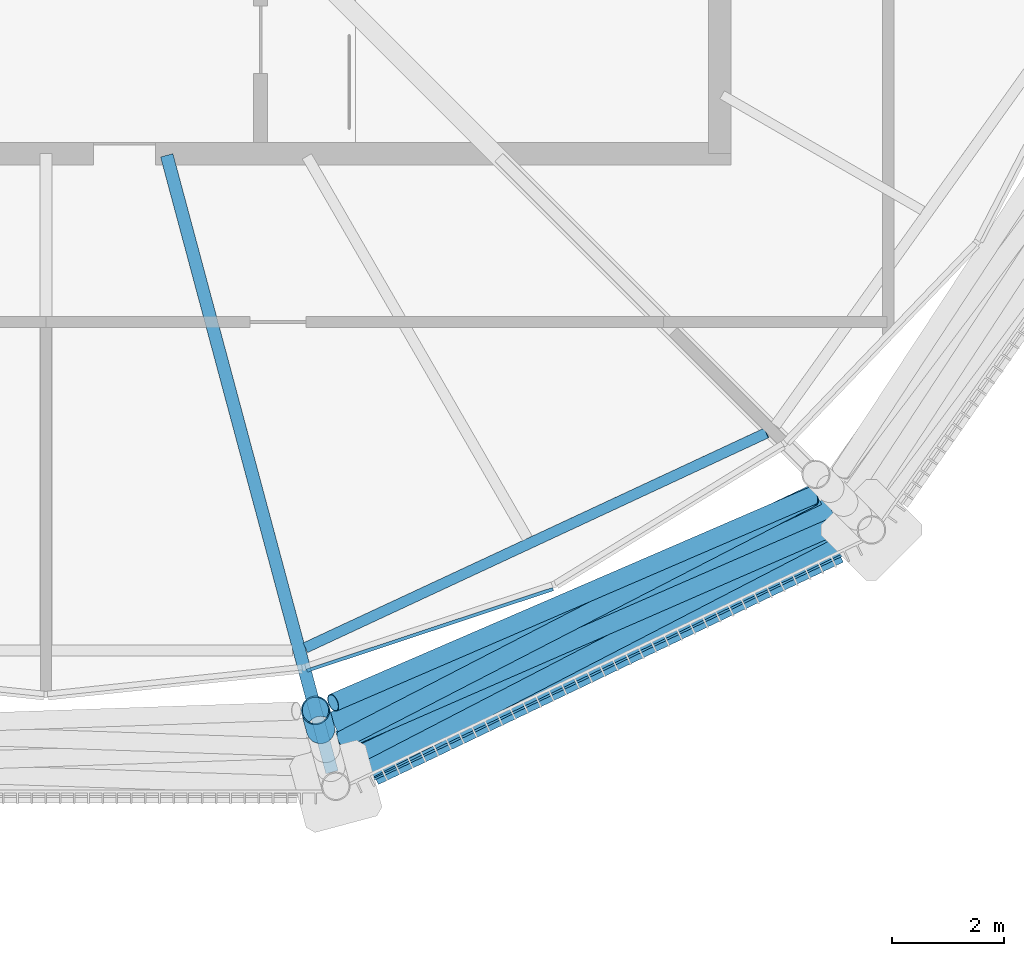
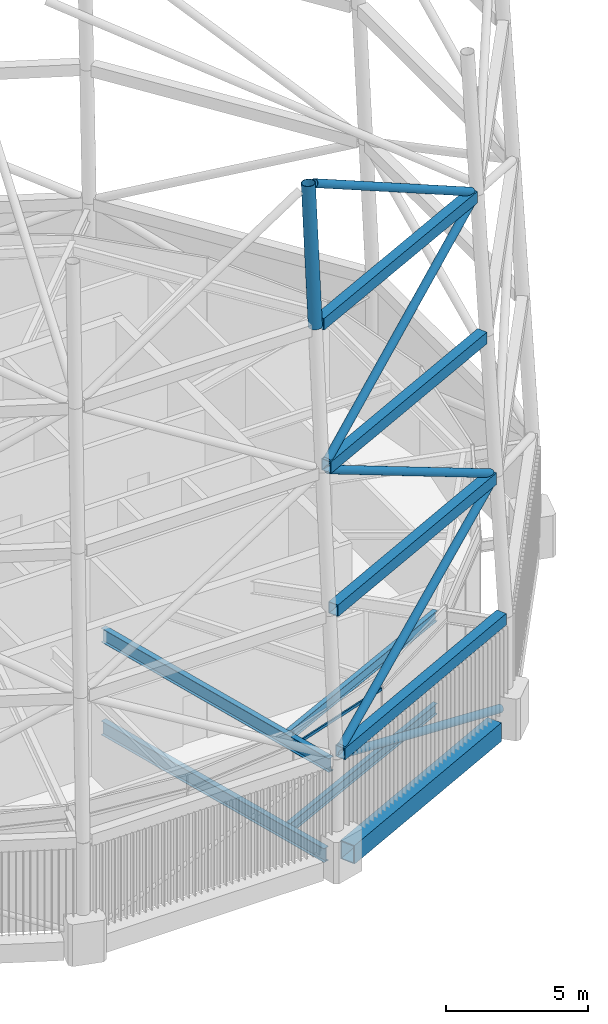
# One storey, part 10 of 71: 9 beams, 7 members, 1 element without a shape of its own.
"""IFC4 building model written with IfcOpenShell, lengths in metres."""

from ifc_helpers import new_model, si_unit, direction, frame, origin, origin_2d, place, context, subcontext, project, spatial, rectangle, hollow_rectangle, hollow_circle, i_section, extrude, material, material_profile, profile_set, type_object, element, aggregate, save


model = new_model("IFC4")

# Units and contexts
model_context = context("Model", 3, precision=1e-05, world=origin(), true_north=direction((0.0, 1.0)))
body_context = subcontext(model_context, "Body", "Model", "MODEL_VIEW")
ifc_project = project(units=[si_unit("LENGTHUNIT", "METRE"), si_unit("AREAUNIT", "SQUARE_METRE"), si_unit("VOLUMEUNIT", "CUBIC_METRE"), si_unit("PLANEANGLEUNIT", "RADIAN"), si_unit("MASSUNIT", "GRAM", prefix="KILO")], contexts=[model_context])

# Site, building, storey
site_placement = place(None, origin())
site = spatial("IfcSite", under=ifc_project, at=site_placement, CompositionType="ELEMENT")
building_placement = place(site_placement, origin())
building = spatial("IfcBuilding", under=site, at=building_placement, Name="Rimbun Link Towers", CompositionType="ELEMENT")
storey_placement = place(building_placement, frame((0.0, 0.0, 267.60009765625)))
storey = spatial("IfcBuildingStorey", under=building, at=storey_placement, Name="L65", CompositionType="ELEMENT", Elevation=267.60009765625)

# Curtain wall, member
ifc_material_1 = material(Name="Aluminium 6063-T6 louvre wall", Category="aluminium")
curtain_wall_type = type_object("IfcCurtainWallType", Name="CW6 plant floor louvre wall", PredefinedType="NOTDEFINED", material=ifc_material_1)
curtain_wall_placement = place(storey_placement, origin())
curtain_wall = element("IfcCurtainWall", 1, at=curtain_wall_placement, inside=storey, type_object=curtain_wall_type, Name="CW6 L65 T1", PredefinedType="NOTDEFINED")
ifc_material_2 = material(Name="Aluminium 6063-T6", Category="aluminium")
ifc_material_profile_1 = material_profile(ifc_material_2, rectangle(XDim=0.06005859375, YDim=0.1201171875, at=origin_2d()), Name="TRANSOM 60X120")
ifc_profile_set_1 = profile_set([ifc_material_profile_1], Name="Aluminium 6063-T6")
member_type_1 = type_object("IfcMemberType", Name="CW6 transom 60X120", PredefinedType="USERDEFINED", material=ifc_profile_set_1)
member_1_placement = place(storey_placement, frame((-22.71826171875, -15.754638671875, 3.39990234375), z_axis=(-0.949226572325, -0.314593252299, 0.0), x_axis=(0.314593252299, -0.949226572325, 0.0)))
member_1 = element("IfcMember", 2, at=member_1_placement, type_object=member_type_1, Name="CW6 transom", ObjectType="TRANSOM", PredefinedType="USERDEFINED", context=body_context, shape_type="SweptSolid", body=[
    extrude(rectangle(XDim=0.06005859375, YDim=0.1201171875, at=origin_2d()), origin(), (0.0, 0.0, 1.0), 4.61669921875),
])
aggregate(curtain_wall, [member_1])

# Members
ifc_material_3 = material(Name="Steel S355J2H", Category="steel")
ifc_material_profile_2 = material_profile(ifc_material_3, hollow_circle(Radius=0.161865234375, WallThickness=0.011962890625, at=origin_2d()), Name="Crown frame brace CHS 324x12")
ifc_profile_set_2 = profile_set([ifc_material_profile_2], Name="Steel S355J2H")
member_type_2 = type_object("IfcMemberType", Name="Crown frame brace CHS 324x12", PredefinedType="BRACE", material=ifc_profile_set_2)
member_2_placement = place(storey_placement, frame((-17.386474609375, -14.862548828125, 0.141357421875), z_axis=(-0.843668551505, -0.403789691529, 0.353803985585), x_axis=(0.431713068819, -0.902010990072, 0.0)))
element("IfcMember", 3, at=member_2_placement, inside=storey, type_object=member_type_2, Name="CROWN FRAME brace T1 1-09", PredefinedType="BRACE", context=body_context, shape_type="SweptSolid", body=[
    extrude(hollow_circle(Radius=0.161865234375, WallThickness=0.011962890625, at=origin_2d()), origin(), (0.0, 0.0, 1.0), 10.505859375),
])
member_3_placement = place(storey_placement, frame((-26.279541015625, -19.106689453125, 4.198974609375), z_axis=(0.770309647108, 0.398996680692, 0.4974180298), x_axis=(-0.459932714443, 0.887953770297, 0.0)))
element("IfcMember", 4, at=member_3_placement, inside=storey, type_object=member_type_2, Name="CROWN FRAME brace T1 2-09", PredefinedType="BRACE", context=body_context, shape_type="SweptSolid", body=[
    extrude(hollow_circle(Radius=0.161865234375, WallThickness=0.011962890625, at=origin_2d()), origin(), (0.0, 0.0, 1.0), 11.26171875),
])
member_4_placement = place(storey_placement, frame((-17.61328125, -14.592041015625, 10.20068359375), z_axis=(-0.792576491471, -0.346121435521, 0.50201838317), x_axis=(0.400206572605, -0.916424955599, 0.0)))
element("IfcMember", 5, at=member_4_placement, inside=storey, type_object=member_type_2, Name="CROWN FRAME brace T1 3-09", PredefinedType="BRACE", context=body_context, shape_type="SweptSolid", body=[
    extrude(hollow_circle(Radius=0.161865234375, WallThickness=0.011962890625, at=origin_2d()), origin(), (0.0, 0.0, 1.0), 11.15185546875),
])
member_5_placement = place(storey_placement, frame((-26.463134765625, -18.4326171875, 16.2041015625), z_axis=(0.76407636869, 0.394212390523, 0.510670044126), x_axis=(-0.458505511118, 0.888691564197, 0.0)))
element("IfcMember", 6, at=member_5_placement, inside=storey, type_object=member_type_2, Name="CROWN FRAME brace T1 4-09", PredefinedType="BRACE", context=body_context, shape_type="SweptSolid", body=[
    extrude(hollow_circle(Radius=0.161865234375, WallThickness=0.011962890625, at=origin_2d()), origin(), (0.0, 0.0, 1.0), 10.949462890625),
])
member_6_placement = place(storey_placement, frame((-18.106201171875, -14.094482421875, 22.2060546875), z_axis=(-0.786713243081, -0.339771845187, 0.515400200212), x_axis=(0.3964898768, -0.918039093718, 0.0)))
element("IfcMember", 7, at=member_6_placement, inside=storey, type_object=member_type_2, Name="CROWN FRAME brace T1 5-09", PredefinedType="BRACE", context=body_context, shape_type="SweptSolid", body=[
    extrude(hollow_circle(Radius=0.161865234375, WallThickness=0.011962890625, at=origin_2d()), origin(), (0.0, 0.0, 1.0), 10.84130859375),
])
ifc_material_4 = material(Name="Steel S355J2H", Category="steel")
ifc_material_profile_3 = material_profile(ifc_material_4, hollow_circle(Radius=0.25390625, WallThickness=0.02001953125, at=origin_2d()), Name="Crown frame post CHS 508x20")
ifc_profile_set_3 = profile_set([ifc_material_profile_3], Name="Steel S355J2H")
member_type_3 = type_object("IfcMemberType", Name="Crown frame post CHS 508x20", PredefinedType="POST", material=ifc_profile_set_3)
member_7_placement = place(storey_placement, frame((-26.859375, -18.252197265625, 22.0), z_axis=(-0.015070401624, 0.056260124661, 0.998302399761), x_axis=(-0.965944938819, -0.258747705633, 0.0)))
element("IfcMember", 8, at=member_7_placement, inside=storey, type_object=member_type_3, Name="CROWN FRAME post T1 5-09", PredefinedType="POST", context=body_context, shape_type="SweptSolid", body=[
    extrude(hollow_circle(Radius=0.25390625, WallThickness=0.02001953125, at=origin_2d()), origin(), (0.0, 0.0, 1.0), 6.01025390625),
])

# Beams
ifc_material_5 = material(Name="Steel S355J2", Category="steel")
ifc_material_profile_4 = material_profile(ifc_material_5, hollow_rectangle(XDim=0.39990234375, YDim=0.5, WallThickness=0.02001953125, at=origin_2d()), Name="Crown frame ring beam BOX 400x500x20")
ifc_profile_set_4 = profile_set([ifc_material_profile_4], Name="Steel S355J2")
beam_type_1 = type_object("IfcBeamType", Name="Crown frame ring beam BOX 400x500x20", PredefinedType="BEAM", material=ifc_profile_set_4)
beam_1_placement = place(storey_placement, frame((-26.3583984375, -19.156494140625, 4.0), z_axis=(0.902020502404, 0.431693193418, 0.0), x_axis=(-0.431693193418, 0.902020502404, 0.0)))
element("IfcBeam", 9, at=beam_1_placement, inside=storey, type_object=beam_type_1, Name="CROWN FRAME ring beam T1 1-09", PredefinedType="BEAM", context=body_context, shape_type="SweptSolid", body=[
    extrude(hollow_rectangle(XDim=0.39990234375, YDim=0.5, WallThickness=0.02001953125, at=origin_2d()), origin(), (0.0, 0.0, 1.0), 10.066650390625),
])
beam_2_placement = place(storey_placement, frame((-26.448974609375, -18.81884765625, 10.0), z_axis=(0.902599252642, 0.430481810453, 0.0), x_axis=(-0.430481810453, 0.902599252642, 0.0)))
element("IfcBeam", 10, at=beam_2_placement, inside=storey, type_object=beam_type_1, Name="CROWN FRAME ring beam T1 2-09", PredefinedType="BEAM", context=body_context, shape_type="SweptSolid", body=[
    extrude(hollow_rectangle(XDim=0.39990234375, YDim=0.5, WallThickness=0.02001953125, at=origin_2d()), origin(), (0.0, 0.0, 1.0), 9.88623046875),
])
beam_3_placement = place(storey_placement, frame((-26.539306640625, -18.481201171875, 16.0), z_axis=(0.903193160089, 0.429234336427, 0.0), x_axis=(-0.429234336427, 0.903193160089, 0.0)))
element("IfcBeam", 11, at=beam_3_placement, inside=storey, type_object=beam_type_1, Name="CROWN FRAME ring beam T1 3-09", PredefinedType="BEAM", context=body_context, shape_type="SweptSolid", body=[
    extrude(hollow_rectangle(XDim=0.39990234375, YDim=0.5, WallThickness=0.02001953125, at=origin_2d()), origin(), (0.0, 0.0, 1.0), 9.705810546875),
])
beam_4_placement = place(storey_placement, frame((-26.6298828125, -18.143310546875, 22.0), z_axis=(0.903817675127, 0.42791776094, 0.0), x_axis=(-0.42791776094, 0.903817675127, 0.0)))
element("IfcBeam", 12, at=beam_4_placement, inside=storey, type_object=beam_type_1, Name="CROWN FRAME ring beam T1 4-09", PredefinedType="BEAM", context=body_context, shape_type="SweptSolid", body=[
    extrude(hollow_rectangle(XDim=0.39990234375, YDim=0.5, WallThickness=0.02001953125, at=origin_2d()), origin(), (0.0, 0.0, 1.0), 9.525146484375),
])
ifc_material_6 = material(Name="Steel S355J2", Category="steel")
ifc_material_profile_5 = material_profile(ifc_material_6, hollow_rectangle(XDim=0.60009765625, YDim=0.800048828125, WallThickness=0.0400390625, at=origin_2d()), Name="Exoskeleton ring girder BOX 600x800x40")
ifc_profile_set_5 = profile_set([ifc_material_profile_5], Name="Steel S355J2")
beam_type_2 = type_object("IfcBeamType", Name="Exoskeleton ring girder BOX 600x800x40", PredefinedType="BEAM", material=ifc_profile_set_5)
beam_5_placement = place(storey_placement, frame((-25.956298828125, -18.964111328125, -0.56005859375), z_axis=(0.902021160165, 0.431691819026, 0.0), x_axis=(-0.431691819026, 0.902021160165, 0.0)))
element("IfcBeam", 13, at=beam_5_placement, inside=storey, type_object=beam_type_2, Name="Exoskeleton ring girder L65 09", PredefinedType="BEAM", context=body_context, shape_type="SweptSolid", body=[
    extrude(hollow_rectangle(XDim=0.60009765625, YDim=0.800048828125, WallThickness=0.0400390625, at=origin_2d()), origin(), (0.0, 0.0, 1.0), 9.1748046875),
])
ifc_material_7 = material(Name="Steel S355J2", Category="steel")
ifc_material_profile_6 = material_profile(ifc_material_7, i_section(OverallWidth=0.18994140625, OverallDepth=0.453369140625, WebThickness=0.008544921875, FlangeThickness=0.0126953125, at=origin_2d()), Name="UB 457x191x67")
ifc_profile_set_6 = profile_set([ifc_material_profile_6], Name="Steel S355J2")
beam_type_3 = type_object("IfcBeamType", Name="UB 457x191x67", PredefinedType="BEAM", material=ifc_profile_set_6)
beam_6_placement = place(storey_placement, frame((-27.1298828125, -16.79931640625, -0.4267578125), z_axis=(0.906438968681, 0.42233682773, 0.0), x_axis=(-0.42233682773, 0.906438968681, 0.0)))
element("IfcBeam", 14, at=beam_6_placement, inside=storey, type_object=beam_type_3, Name="Edge beam T1 L65 19-21", PredefinedType="BEAM", context=body_context, shape_type="SweptSolid", body=[
    extrude(i_section(OverallWidth=0.18994140625, OverallDepth=0.453369140625, WebThickness=0.008544921875, FlangeThickness=0.0126953125, at=origin_2d()), origin(), (0.0, 0.0, 1.0), 9.0634765625),
])
beam_7_placement = place(storey_placement, frame((-27.1298828125, -16.79931640625, 3.5732421875), z_axis=(0.906442010724, 0.422330298693, 0.0), x_axis=(-0.422330298693, 0.906442010724, 0.0)))
element("IfcBeam", 15, at=beam_7_placement, inside=storey, type_object=beam_type_3, Name="Edge beam T1 L65 19-21", PredefinedType="BEAM", context=body_context, shape_type="SweptSolid", body=[
    extrude(i_section(OverallWidth=0.18994140625, OverallDepth=0.453369140625, WebThickness=0.008544921875, FlangeThickness=0.0126953125, at=origin_2d()), origin(), (0.0, 0.0, 1.0), 9.05322265625),
])
ifc_material_8 = material(Name="Steel S355J2", Category="steel")
ifc_material_profile_7 = material_profile(ifc_material_8, i_section(OverallWidth=0.2275390625, OverallDepth=0.6025390625, WebThickness=0.010498046875, FlangeThickness=0.014892578125, at=origin_2d()), Name="UB 610x229x101")
ifc_profile_set_7 = profile_set([ifc_material_profile_7], Name="Steel S355J2")
beam_type_4 = type_object("IfcBeamType", Name="UB 610x229x101", PredefinedType="BEAM", material=ifc_profile_set_7)
beam_8_placement = place(storey_placement, frame((-29.59814453125, -8.030517578125, -0.50146484375), z_axis=(0.258813187095, -0.965927395918, 0.0), x_axis=(0.965927395918, 0.258813187095, 0.0)))
element("IfcBeam", 16, at=beam_8_placement, inside=storey, type_object=beam_type_4, Name="Radial beam T1 L65 19", PredefinedType="BEAM", context=body_context, shape_type="SweptSolid", body=[
    extrude(i_section(OverallWidth=0.2275390625, OverallDepth=0.6025390625, WebThickness=0.010498046875, FlangeThickness=0.014892578125, at=origin_2d()), origin(), (0.0, 0.0, 1.0), 11.132080078125),
])
beam_9_placement = place(storey_placement, frame((-29.59814453125, -8.030517578125, 3.49853515625), z_axis=(0.258822289697, -0.965924956897, 0.0), x_axis=(0.965924956897, 0.258822289697, 0.0)))
element("IfcBeam", 17, at=beam_9_placement, inside=storey, type_object=beam_type_4, Name="Radial beam T1 L65 19", PredefinedType="BEAM", context=body_context, shape_type="SweptSolid", body=[
    extrude(i_section(OverallWidth=0.2275390625, OverallDepth=0.6025390625, WebThickness=0.010498046875, FlangeThickness=0.014892578125, at=origin_2d()), origin(), (0.0, 0.0, 1.0), 11.3720703125),
])

save(model, "model.ifc")
